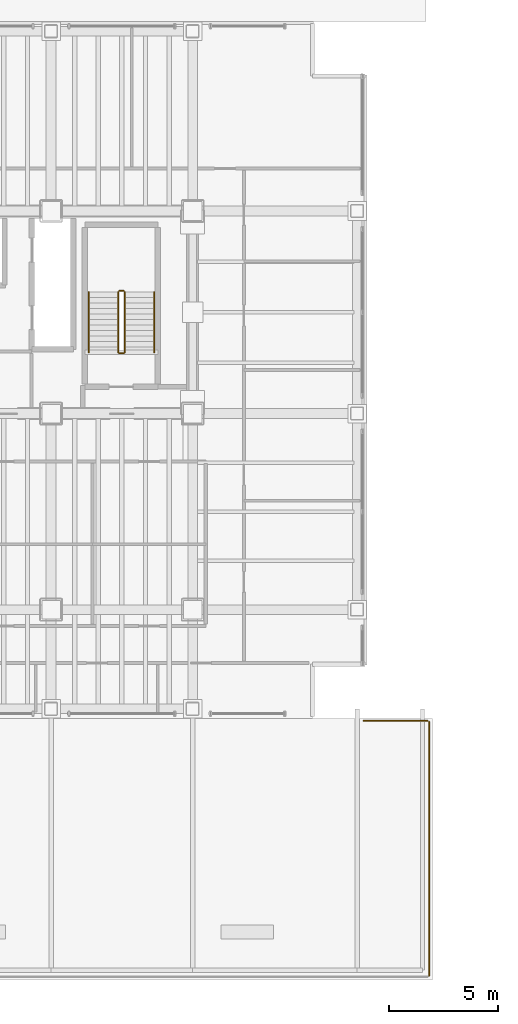
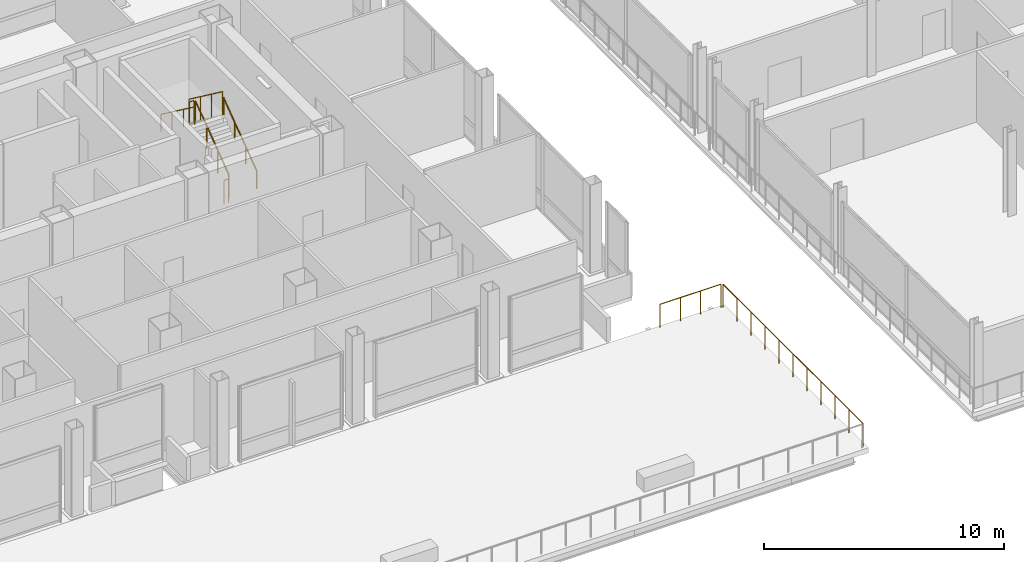
# One storey, part 33 of 34: 8 railings.
"""IFC4 building model written with IfcOpenShell, lengths in metres."""

import ifcopenshell
import ifcopenshell.guid

model = None  # the IFC model being written
_history = None  # IfcOwnerHistory: only IFC2X3 demands one
_inside = {}  # id of a spatial element -> (the spatial element, [elements in it])
_under = {}  # id of a project, library or spatial element -> (it, [spatial elements below it])
_declared = {}  # id of a project -> (the project, [libraries it declares])
_typed = {}  # id of a type object -> (the type object, [elements of that type])
_made_of = {}  # id of a material, layer set ... -> (it, [elements and type objects made of it])


def new_model(schema):
    """Start an empty IFC model of exactly this schema.

    Asked for "IFC4X3", IfcOpenShell would pick the latest addendum, in which some entities
    have other attributes; the version numbers below select the first issue.
    IFC2X3 requires an IfcOwnerHistory on every rooted entity: one is made here for all.
    """
    global model, _history
    if schema == "IFC4X3":
        model = ifcopenshell.file(schema_version=(4, 3, 0, 0))
    else:
        model = ifcopenshell.file(schema=schema)
    _inside.clear()
    _under.clear()
    _declared.clear()
    _typed.clear()
    _made_of.clear()
    _history = None
    if model.schema == "IFC2X3":
        org = make("IfcOrganization", Name="unknown")
        user = make(
            "IfcPersonAndOrganization",
            ThePerson=make("IfcPerson", FamilyName="unknown"),
            TheOrganization=org,
        )
        app = make(
            "IfcApplication",
            ApplicationDeveloper=org,
            Version="unknown",
            ApplicationFullName="unknown",
            ApplicationIdentifier="unknown",
        )
        _history = make(
            "IfcOwnerHistory",
            OwningUser=user,
            OwningApplication=app,
            ChangeAction="ADDED",
            CreationDate=0,
        )
    return model


def make(cls, **values):
    """One entity of the class cls with the attributes given. An attribute that is None is left unset."""
    return model.create_entity(
        cls, **{name: value for name, value in values.items() if value is not None}
    )


def rooted(cls, **values):
    """An entity with a GlobalId (a new one), such as an element, a storey or a relation."""
    return make(cls, GlobalId=ifcopenshell.guid.new(), OwnerHistory=_history, **values)


def si_unit(unit_type, name, prefix=None):
    """IfcSIUnit, for example si_unit("LENGTHUNIT", "METRE", prefix="MILLI")."""
    return make("IfcSIUnit", UnitType=unit_type, Prefix=prefix, Name=name)


def assignment(units):
    """IfcUnitAssignment: the units of a project."""
    return None if units is None else make("IfcUnitAssignment", Units=units)


def point(xyz):
    """IfcCartesianPoint."""
    return None if xyz is None else make("IfcCartesianPoint", Coordinates=xyz)


def direction(xyz):
    """IfcDirection."""
    return None if xyz is None else make("IfcDirection", DirectionRatios=xyz)


def frame(location, z_axis=None, x_axis=None):
    """IfcAxis2Placement3D, a coordinate frame: its origin and axes. An axis left out is left unset."""
    return make(
        "IfcAxis2Placement3D",
        Location=point(location),
        Axis=direction(z_axis),
        RefDirection=direction(x_axis),
    )


def frame_2d(location, x_axis=None):
    """IfcAxis2Placement2D, a coordinate frame in the plane: its origin and x axis."""
    return make(
        "IfcAxis2Placement2D", Location=point(location), RefDirection=direction(x_axis)
    )


def origin():
    """The frame at (0, 0, 0) with its axes left unset."""
    return frame((0.0, 0.0, 0.0))


def origin_2d():
    """The frame at (0, 0) in the plane with its x axis left unset."""
    return frame_2d((0.0, 0.0))


def place(relative_to, where):
    """IfcLocalPlacement: puts the frame where relative to a parent placement (None: the world)."""
    return make(
        "IfcLocalPlacement", PlacementRelTo=relative_to, RelativePlacement=where
    )


def context(
    kind, dimensions, precision=None, world=None, true_north=None, identifier=None
):
    """IfcGeometricRepresentationContext, for example the 3D "Model" context."""
    return make(
        "IfcGeometricRepresentationContext",
        ContextIdentifier=identifier,
        ContextType=kind,
        CoordinateSpaceDimension=dimensions,
        Precision=precision,
        WorldCoordinateSystem=world,
        TrueNorth=true_north,
    )


def subcontext(parent, identifier, kind, view, scale=None):
    """IfcGeometricRepresentationSubContext, for example "Body" below "Model"."""
    return make(
        "IfcGeometricRepresentationSubContext",
        ContextIdentifier=identifier,
        ContextType=kind,
        ParentContext=parent,
        TargetScale=scale,
        TargetView=view,
    )


def project(units=None, contexts=None):
    """IfcProject with its units and contexts."""
    return rooted(
        "IfcProject",
        Name="project",
        RepresentationContexts=contexts,
        UnitsInContext=assignment(units),
    )


def spatial(cls, under=None, at=None, **own):
    """A site, building, storey or space (cls), placed at a placement, below another one or the project."""
    s = rooted(cls, ObjectPlacement=at, **own)
    if under is not None:
        _under.setdefault(under.id(), (under, []))[1].append(s)
    return s


def profile(cls, at=None, kind="AREA", **sizes):
    """A parametric profile (cls). Its sizes go by their IFC names, for example OverallWidth=200.0."""
    return make(cls, ProfileType=kind, Position=at, **sizes)


def circle(**sizes):
    """IfcCircleProfileDef."""
    return profile("IfcCircleProfileDef", **sizes)


def extrude(swept, where, along, depth):
    """IfcExtrudedAreaSolid: the profile swept, set in the frame where, extruded along a direction by depth."""
    return make(
        "IfcExtrudedAreaSolid",
        SweptArea=swept,
        Position=where,
        ExtrudedDirection=direction(along),
        Depth=depth,
    )


def shape(context_of_items, identifier, shape_type, items):
    """IfcShapeRepresentation: the items that make up one representation, for example the "Body"."""
    return make(
        "IfcShapeRepresentation",
        ContextOfItems=context_of_items,
        RepresentationIdentifier=identifier,
        RepresentationType=shape_type,
        Items=items,
    )


def material(Name=None, Category=None):
    """IfcMaterial."""
    return make("IfcMaterial", Name=Name, Category=Category)


def layer(
    of_material, thickness, ventilated=None, Name=None, Category=None, Priority=None
):
    """IfcMaterialLayer: one layer of a wall or slab, of a material (None: an air gap)."""
    return make(
        "IfcMaterialLayer",
        Material=of_material,
        LayerThickness=thickness,
        IsVentilated=ventilated,
        Name=Name,
        Category=Category,
        Priority=Priority,
    )


def layer_set(layers, Name=None):
    """IfcMaterialLayerSet."""
    return make("IfcMaterialLayerSet", MaterialLayers=layers, LayerSetName=Name)


def made_of(thing, what):
    """Note that an element or type object is made of a material, layer set ...; save() writes the relation."""
    if what is not None:
        _made_of.setdefault(what.id(), (what, []))[1].append(thing)
    return thing


def type_object(cls, material=None, **own):
    """A type object (cls), such as IfcWallType, which elements share."""
    return made_of(rooted(cls, **own), material)


def element(
    cls,
    number,
    at=None,
    inside=None,
    cuts=None,
    type_object=None,
    material=None,
    context=None,
    identifier="Body",
    shape_type=None,
    held_by="IfcProductDefinitionShape",
    body=None,
    shapes=None,
    **own,
):
    """One element of the class cls, such as IfcWall. Its Tag is "e" and its number.

    at: its placement. inside: the storey or other place that contains it. cuts: it is an
    opening in that element (IfcRelVoidsElement). A single representation is given by context,
    identifier, shape_type and body (its items); several are given by shapes. held_by: the class
    of the entity that holds the representations. save() writes the other relations.
    """
    e = rooted(cls, Tag="e%d" % number, ObjectPlacement=at, **own)
    if body is not None:
        shapes = [shape(context, identifier, shape_type, body)]
    if shapes is not None:
        e.Representation = make(held_by, Representations=shapes)
    if inside is not None:
        _inside.setdefault(inside.id(), (inside, []))[1].append(e)
    if cuts is not None:
        rooted(
            "IfcRelVoidsElement", RelatingBuildingElement=cuts, RelatedOpeningElement=e
        )
    if type_object is not None:
        _typed.setdefault(type_object.id(), (type_object, []))[1].append(e)
    return made_of(e, material)


def aggregate(whole, parts):
    """IfcRelAggregates: a whole, such as a stair, and the parts it consists of."""
    return rooted("IfcRelAggregates", RelatingObject=whole, RelatedObjects=parts)


def save(model, path):
    """Write the relations noted so far, then the file.

    IfcRelAggregates (storeys below a building ...), IfcRelContainedInSpatialStructure (elements
    in a storey), IfcRelDefinesByType, IfcRelAssociatesMaterial and IfcRelDeclares: one each for
    every whole, place, type object, material and project.
    """
    for whole, parts in _under.values():
        aggregate(whole, parts)
    for where, things in _inside.values():
        rooted(
            "IfcRelContainedInSpatialStructure",
            RelatedElements=things,
            RelatingStructure=where,
        )
    for kind, things in _typed.values():
        rooted("IfcRelDefinesByType", RelatedObjects=things, RelatingType=kind)
    for what, things in _made_of.values():
        rooted("IfcRelAssociatesMaterial", RelatedObjects=things, RelatingMaterial=what)
    for by, libraries in _declared.values():
        rooted("IfcRelDeclares", RelatingContext=by, RelatedDefinitions=libraries)
    model.write(path)


model = new_model("IFC4")

# Units and contexts
model_context = context("Model", 3, precision=1e-05, world=origin(), true_north=direction((0.0, 1.0)))
body_context = subcontext(model_context, "Body", "Model", "MODEL_VIEW")
ifc_project = project(units=[si_unit("LENGTHUNIT", "METRE"), si_unit("AREAUNIT", "SQUARE_METRE"), si_unit("VOLUMEUNIT", "CUBIC_METRE"), si_unit("PLANEANGLEUNIT", "RADIAN"), si_unit("MASSUNIT", "GRAM", prefix="KILO")], contexts=[model_context])

# Site, building, storey
site_placement = place(None, origin())
site = spatial("IfcSite", under=ifc_project, at=site_placement, CompositionType="ELEMENT")
building_placement = place(site_placement, origin())
building = spatial("IfcBuilding", under=site, at=building_placement, Name="Noeulbin Bourse Tower", CompositionType="ELEMENT")
storey_placement = place(building_placement, frame((0.0, 0.0, 22.0)))
storey = spatial("IfcBuildingStorey", under=building, at=storey_placement, Name="L05", CompositionType="ELEMENT", Elevation=22.0)

# Railings
ifc_material_1 = material(Name="Painted Tubular Steel S355", Category="steel")
ifc_layer_1 = layer(ifc_material_1, 0.048095703125)
ifc_layer_set_1 = layer_set([ifc_layer_1], Name="Painted Tubular Steel S355")
railing_type_1 = type_object("IfcRailingType", Name="RLG-STR-GRD", PredefinedType="GUARDRAIL", material=ifc_layer_set_1)
railing_1_placement = place(storey_placement, frame((40.8798828125, 31.81005859375, 0.1875)))
element("IfcRailing", 1, at=railing_1_placement, inside=storey, type_object=railing_type_1, Name="L05 ST-2 stair guard 1", PredefinedType="GUARDRAIL", context=body_context, shape_type="SweptSolid", body=[
    extrude(circle(Radius=0.02392578125, at=origin_2d()), frame((0.0, 0.0, 1.17578125), z_axis=(0.0, 0.80228358858, 0.596943082291), x_axis=(-1.0, 0.0, 0.0)), (0.0, 0.0, 1.0), 3.455078125),
    extrude(circle(Radius=0.02099609375, at=origin_2d()), origin(), (0.0, 0.0, 1.0), 1.15185546875),
    extrude(circle(Radius=0.02099609375, at=origin_2d()), frame((0.0, 0.924072265625, 0.6875)), (0.0, 0.0, 1.0), 1.15185546875),
    extrude(circle(Radius=0.02099609375, at=origin_2d()), frame((0.0, 1.847900390625, 1.375)), (0.0, 0.0, 1.0), 1.15185546875),
    extrude(circle(Radius=0.02099609375, at=origin_2d()), frame((0.0, 2.77197265625, 2.0625)), (0.0, 0.0, 1.0), 1.15185546875),
])
railing_2_placement = place(storey_placement, frame((40.830078125, 34.632080078125, 2.25)))
element("IfcRailing", 2, at=railing_2_placement, inside=storey, type_object=railing_type_1, Name="L05 ST-2 stair guard 2", PredefinedType="GUARDRAIL", context=body_context, shape_type="SweptSolid", body=[
    extrude(circle(Radius=0.02392578125, at=origin_2d()), frame((0.0, 0.0, 1.17578125), z_axis=(-1.0, 0.0, 0.0), x_axis=(0.0, -1.0, 0.0)), (0.0, 0.0, 1.0), 0.2001953125),
    extrude(circle(Radius=0.02099609375, at=origin_2d()), origin(), (0.0, 0.0, 1.0), 1.15185546875),
    extrude(circle(Radius=0.02099609375, at=origin_2d()), frame((-0.2001953125, 0.0, 0.0)), (0.0, 0.0, 1.0), 1.15185546875),
])
railing_3_placement = place(storey_placement, frame((40.580078125, 34.58203125, 2.4375)))
element("IfcRailing", 3, at=railing_3_placement, inside=storey, type_object=railing_type_1, Name="L05 ST-2 stair guard 3", PredefinedType="GUARDRAIL", context=body_context, shape_type="SweptSolid", body=[
    extrude(circle(Radius=0.02392578125, at=origin_2d()), frame((0.0, 0.0, 1.17578125), z_axis=(0.0, -0.80228358858, 0.596943082291), x_axis=(1.0, 0.0, 0.0)), (0.0, 0.0, 1.0), 3.455078125),
    extrude(circle(Radius=0.02099609375, at=origin_2d()), origin(), (0.0, 0.0, 1.0), 1.15185546875),
    extrude(circle(Radius=0.02099609375, at=origin_2d()), frame((0.0, -0.924072265625, 0.6875)), (0.0, 0.0, 1.0), 1.15185546875),
    extrude(circle(Radius=0.02099609375, at=origin_2d()), frame((0.0, -1.847900390625, 1.375)), (0.0, 0.0, 1.0), 1.15185546875),
    extrude(circle(Radius=0.02099609375, at=origin_2d()), frame((0.0, -2.77197265625, 2.0625)), (0.0, 0.0, 1.0), 1.15185546875),
])
railing_4_placement = place(storey_placement, frame((40.830078125, 31.760009765625, 0.0)))
element("IfcRailing", 4, at=railing_4_placement, inside=storey, type_object=railing_type_1, Name="L05 ST-2 stair guard 4", PredefinedType="GUARDRAIL", context=body_context, shape_type="SweptSolid", body=[
    extrude(circle(Radius=0.02392578125, at=origin_2d()), frame((0.0, 0.0, 1.17578125), z_axis=(-1.0, 0.0, 0.0), x_axis=(0.0, -1.0, 0.0)), (0.0, 0.0, 1.0), 0.2001953125),
    extrude(circle(Radius=0.02099609375, at=origin_2d()), origin(), (0.0, 0.0, 1.0), 1.15185546875),
    extrude(circle(Radius=0.02099609375, at=origin_2d()), frame((-0.2001953125, 0.0, 0.0)), (0.0, 0.0, 1.0), 1.15185546875),
])
ifc_material_2 = material(Name="Brushed Stainless Steel 316", Category="steel")
ifc_layer_2 = layer(ifc_material_2, 0.048095703125)
ifc_layer_set_2 = layer_set([ifc_layer_2], Name="Brushed Stainless Steel 316")
railing_type_2 = type_object("IfcRailingType", Name="RLG-STR-HND", PredefinedType="HANDRAIL", material=ifc_layer_set_2)
railing_5_placement = place(storey_placement, frame((42.22998046875, 31.81005859375, 0.1875)))
element("IfcRailing", 5, at=railing_5_placement, inside=storey, type_object=railing_type_2, Name="L05 ST-2 stair handrail 1", PredefinedType="HANDRAIL", context=body_context, shape_type="SweptSolid", body=[
    extrude(circle(Radius=0.02392578125, at=origin_2d()), frame((0.0, 0.0, 0.8759765625), z_axis=(0.0, 0.80228358858, 0.596943082291), x_axis=(-1.0, 0.0, 0.0)), (0.0, 0.0, 1.0), 3.455078125),
    extrude(circle(Radius=0.02099609375, at=origin_2d()), origin(), (0.0, 0.0, 1.0), 0.851806640625),
    extrude(circle(Radius=0.02099609375, at=origin_2d()), frame((0.0, 0.924072265625, 0.6875)), (0.0, 0.0, 1.0), 0.851806640625),
    extrude(circle(Radius=0.02099609375, at=origin_2d()), frame((0.0, 1.847900390625, 1.375)), (0.0, 0.0, 1.0), 0.851806640625),
    extrude(circle(Radius=0.02099609375, at=origin_2d()), frame((0.0, 2.77197265625, 2.0625)), (0.0, 0.0, 1.0), 0.851806640625),
])
railing_6_placement = place(storey_placement, frame((39.22998046875, 34.58203125, 2.4375)))
element("IfcRailing", 6, at=railing_6_placement, inside=storey, type_object=railing_type_2, Name="L05 ST-2 stair handrail 2", PredefinedType="HANDRAIL", context=body_context, shape_type="SweptSolid", body=[
    extrude(circle(Radius=0.02392578125, at=origin_2d()), frame((0.0, 0.0, 0.8759765625), z_axis=(0.0, -0.80228358858, 0.596943082291), x_axis=(1.0, 0.0, 0.0)), (0.0, 0.0, 1.0), 3.455078125),
    extrude(circle(Radius=0.02099609375, at=origin_2d()), origin(), (0.0, 0.0, 1.0), 0.851806640625),
    extrude(circle(Radius=0.02099609375, at=origin_2d()), frame((0.0, -0.924072265625, 0.6875)), (0.0, 0.0, 1.0), 0.851806640625),
    extrude(circle(Radius=0.02099609375, at=origin_2d()), frame((0.0, -1.847900390625, 1.375)), (0.0, 0.0, 1.0), 0.851806640625),
    extrude(circle(Radius=0.02099609375, at=origin_2d()), frame((0.0, -2.77197265625, 2.0625)), (0.0, 0.0, 1.0), 0.851806640625),
])
ifc_material_3 = material(Name="Stainless Steel 316 Post and Rail", Category="steel")
ifc_layer_3 = layer(ifc_material_3, 0.06005859375)
ifc_layer_set_3 = layer_set([ifc_layer_3], Name="Stainless Steel 316 Post and Rail")
railing_type_3 = type_object("IfcRailingType", Name="RLG-TER-1200", PredefinedType="GUARDRAIL", material=ifc_layer_set_3)
railing_7_placement = place(storey_placement, frame((54.85009765625, 3.199951171875, 0.0)))
element("IfcRailing", 7, at=railing_7_placement, inside=storey, type_object=railing_type_3, Name="Podium Sky-Garden Guardrail GD-T12-L05-3", PredefinedType="GUARDRAIL", context=body_context, shape_type="SweptSolid", body=[
    extrude(circle(Radius=0.02392578125, at=origin_2d()), frame((0.0, 0.0, 1.17578125), z_axis=(0.0, 1.0, 0.0), x_axis=(-1.0, 0.0, 0.0)), (0.0, 0.0, 1.0), 11.650146484375),
    extrude(circle(Radius=0.02099609375, at=origin_2d()), origin(), (0.0, 0.0, 1.0), 1.15185546875),
    extrude(circle(Radius=0.02099609375, at=origin_2d()), frame((0.0, 1.1650390625, 0.0)), (0.0, 0.0, 1.0), 1.15185546875),
    extrude(circle(Radius=0.02099609375, at=origin_2d()), frame((0.0, 2.330078125, 0.0)), (0.0, 0.0, 1.0), 1.15185546875),
    extrude(circle(Radius=0.02099609375, at=origin_2d()), frame((0.0, 3.4951171875, 0.0)), (0.0, 0.0, 1.0), 1.15185546875),
    extrude(circle(Radius=0.02099609375, at=origin_2d()), frame((0.0, 4.66015625, 0.0)), (0.0, 0.0, 1.0), 1.15185546875),
    extrude(circle(Radius=0.02099609375, at=origin_2d()), frame((0.0, 5.8251953125, 0.0)), (0.0, 0.0, 1.0), 1.15185546875),
    extrude(circle(Radius=0.02099609375, at=origin_2d()), frame((0.0, 6.989990234375, 0.0)), (0.0, 0.0, 1.0), 1.15185546875),
    extrude(circle(Radius=0.02099609375, at=origin_2d()), frame((0.0, 8.155029296875, 0.0)), (0.0, 0.0, 1.0), 1.15185546875),
    extrude(circle(Radius=0.02099609375, at=origin_2d()), frame((0.0, 9.320068359375, 0.0)), (0.0, 0.0, 1.0), 1.15185546875),
    extrude(circle(Radius=0.02099609375, at=origin_2d()), frame((0.0, 10.485107421875, 0.0)), (0.0, 0.0, 1.0), 1.15185546875),
    extrude(circle(Radius=0.02099609375, at=origin_2d()), frame((0.0, 11.650146484375, 0.0)), (0.0, 0.0, 1.0), 1.15185546875),
])
railing_8_placement = place(storey_placement, frame((51.85009765625, 14.89990234375, 0.0)))
element("IfcRailing", 8, at=railing_8_placement, inside=storey, type_object=railing_type_3, Name="Podium Sky-Garden Guardrail GD-T12-L05-5", PredefinedType="GUARDRAIL", context=body_context, shape_type="SweptSolid", body=[
    extrude(circle(Radius=0.02392578125, at=origin_2d()), frame((0.0, 0.0, 1.17578125), z_axis=(1.0, 0.0, 0.0), x_axis=(0.0, 1.0, 0.0)), (0.0, 0.0, 1.0), 2.929931640625),
    extrude(circle(Radius=0.02099609375, at=origin_2d()), origin(), (0.0, 0.0, 1.0), 1.15185546875),
    extrude(circle(Radius=0.02099609375, at=origin_2d()), frame((0.9765625, 0.0, 0.0)), (0.0, 0.0, 1.0), 1.15185546875),
    extrude(circle(Radius=0.02099609375, at=origin_2d()), frame((1.953369140625, 0.0, 0.0)), (0.0, 0.0, 1.0), 1.15185546875),
    extrude(circle(Radius=0.02099609375, at=origin_2d()), frame((2.929931640625, 0.0, 0.0)), (0.0, 0.0, 1.0), 1.15185546875),
])

save(model, "model.ifc")
